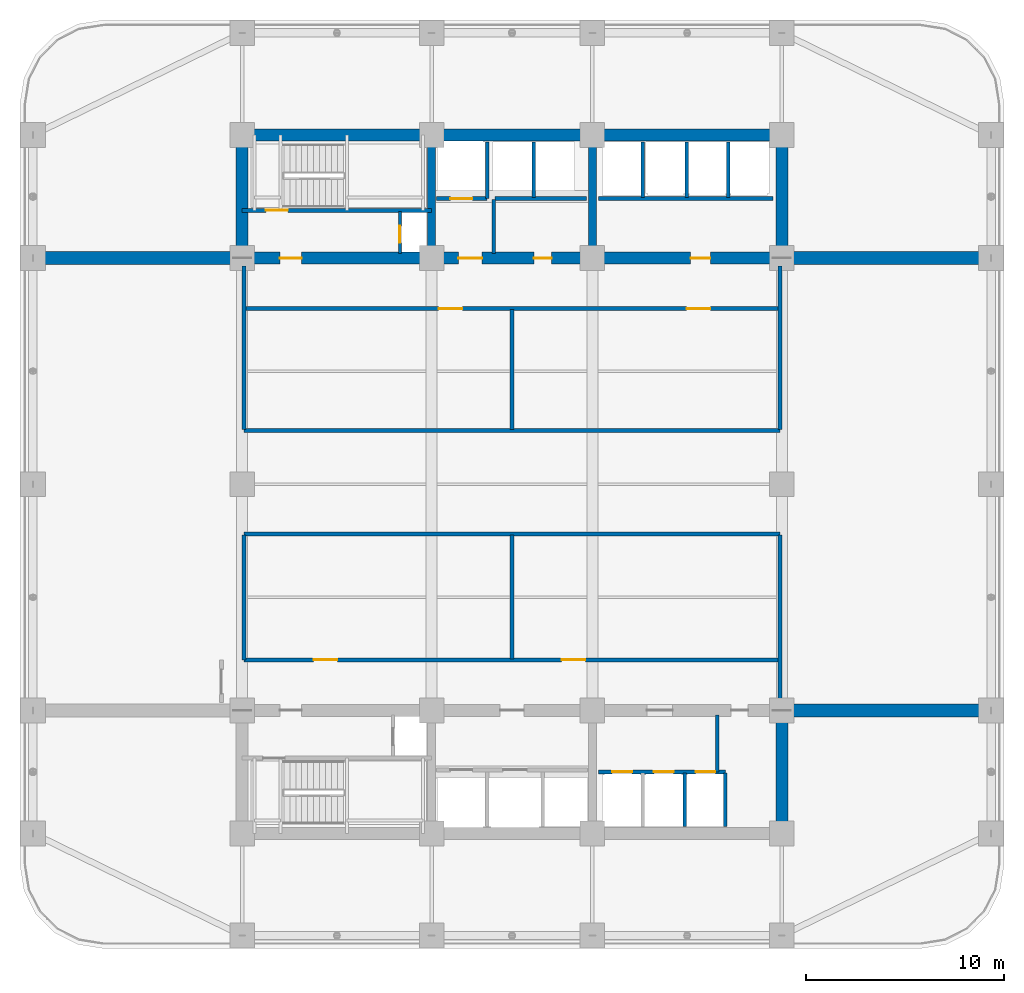
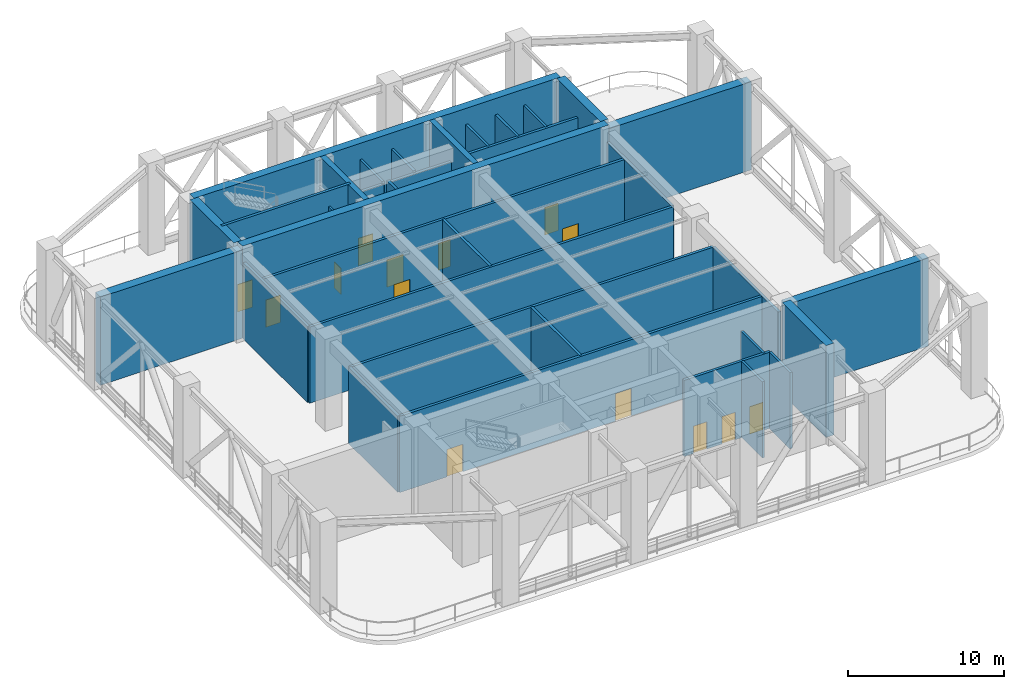
# One storey, part 11 of 20: 35 walls, 14 doors, 14 openings.
"""IFC4 building model written with IfcOpenShell, lengths in metres."""

from ifc_helpers import new_model, si_unit, direction, frame, frame_2d, origin, place, context, subcontext, project, spatial, rectangle, extrude, material, layer, layer_set, type_object, element, fill, save


model = new_model("IFC4")

# Units and contexts
model_context = context("Model", 3, precision=1e-05, world=origin(), true_north=direction((0.0, 1.0)))
body_context = subcontext(model_context, "Body", "Model", "MODEL_VIEW")
ifc_project = project(units=[si_unit("LENGTHUNIT", "METRE"), si_unit("AREAUNIT", "SQUARE_METRE"), si_unit("VOLUMEUNIT", "CUBIC_METRE"), si_unit("PLANEANGLEUNIT", "RADIAN"), si_unit("MASSUNIT", "GRAM", prefix="KILO")], contexts=[model_context])

# Site, building, storey
site_placement = place(None, origin())
site = spatial("IfcSite", under=ifc_project, at=site_placement, CompositionType="ELEMENT")
building_placement = place(site_placement, origin())
building = spatial("IfcBuilding", under=site, at=building_placement, Name="Svetorya Sky Lyceum", CompositionType="ELEMENT")
storey_placement = place(building_placement, frame((0.0, 0.0, 76.89990234375)))
storey = spatial("IfcBuildingStorey", under=building, at=storey_placement, Name="L19", CompositionType="ELEMENT", Elevation=76.89990234375)

# Walls
ifc_material_1 = material(Name="Concrete C40/50", Category="concrete")
ifc_layer_1 = layer(ifc_material_1, 0.39990234375)
ifc_layer_set_1 = layer_set([ifc_layer_1], Name="Concrete C40/50")
wall_type_1 = type_object("IfcWallType", Name="WL-CORE-400", PredefinedType="SHEAR", material=ifc_layer_set_1)
for number, where, z_axis, x_axis, name in (
    (1, (35.14990234375, 39.89990234375, 0.0), (0.0, 0.0, 1.0), (0.0, 1.0, 0.0), "L19 NC Internal Shear Web WEB1"),
    (2, (43.25, 39.89990234375, 0.0), (0.0, 0.0, 1.0), (0.0, 1.0, 0.0), "L19 NC Internal Shear Web WEB2"),
):
    element("IfcWall", number, at=place(storey_placement, frame(where, z_axis=z_axis, x_axis=x_axis)), inside=storey, type_object=wall_type_1, Name=name, PredefinedType="SHEAR", context=body_context, shape_type="SweptSolid", body=[
        extrude(rectangle(XDim=5.60009765625, YDim=0.39990234375, at=frame_2d((2.800048828125, 0.0))), origin(), (0.0, 0.0, 1.0), 7.2001953125),
    ])
ifc_material_2 = material(Name="Concrete C60/75", Category="concrete")
ifc_layer_2 = layer(ifc_material_2, 0.60009765625)
ifc_layer_set_2 = layer_set([ifc_layer_2], Name="Concrete C60/75")
wall_type_2 = type_object("IfcWallType", Name="WL-CORE-600", PredefinedType="SHEAR", material=ifc_layer_set_2)
wall_1_placement = place(storey_placement, frame((52.800048828125, 10.89990234375, 0.0), z_axis=(0.0, 0.0, 1.0), x_axis=(0.0, 1.0, 0.0)))
element("IfcWall", 3, at=wall_1_placement, inside=storey, type_object=wall_type_2, Name="L19 SC East Core Shear Wall", PredefinedType="SHEAR", context=body_context, shape_type="SweptSolid", body=[
    extrude(rectangle(XDim=5.60009765625, YDim=0.60009765625, at=frame_2d((2.800048828125, 0.0))), origin(), (0.0, 0.0, 1.0), 7.2001953125),
])
wall_2_placement = place(storey_placement, frame((25.60009765625, 45.800048828125, 0.0), z_axis=(0.0, 0.0, 1.0), x_axis=(1.0, 0.0, 0.0)))
element("IfcWall", 4, at=wall_2_placement, inside=storey, type_object=wall_type_2, Name="L19 NC Outer Core Shear Wall", PredefinedType="SHEAR", context=body_context, shape_type="SweptSolid", body=[
    extrude(rectangle(XDim=27.199951171875, YDim=0.60009765625, at=frame_2d((13.60009765625, 0.0))), origin(), (0.0, 0.0, 1.0), 7.2001953125),
])
for number, where, z_axis, x_axis, name in (
    (5, (25.60009765625, 39.89990234375, 0.0), (0.0, 0.0, 1.0), (0.0, 1.0, 0.0), "L19 NC West Core Shear Wall"),
    (6, (52.800048828125, 39.89990234375, 0.0), (0.0, 0.0, 1.0), (0.0, 1.0, 0.0), "L19 NC East Core Shear Wall"),
):
    element("IfcWall", number, at=place(storey_placement, frame(where, z_axis=z_axis, x_axis=x_axis)), inside=storey, type_object=wall_type_2, Name=name, PredefinedType="SHEAR", context=body_context, shape_type="SweptSolid", body=[
        extrude(rectangle(XDim=5.60009765625, YDim=0.60009765625, at=frame_2d((2.800048828125, 0.0))), origin(), (0.0, 0.0, 1.0), 7.2001953125),
    ])

# Wall, openings, doors
wall_3_placement = place(storey_placement, frame((52.800048828125, 39.60009765625, 0.0), z_axis=(0.0, 0.0, 1.0), x_axis=(-1.0, 0.0, 0.0)))
wall_3 = element("IfcWall", 7, at=wall_3_placement, inside=storey, type_object=wall_type_2, Name="L19 NC Inner Core Shear Wall", PredefinedType="SHEAR", context=body_context, shape_type="SweptSolid", body=[
    extrude(rectangle(XDim=27.199951171875, YDim=0.60009765625, at=frame_2d((13.60009765625, 0.0))), origin(), (0.0, 0.0, 1.0), 7.2001953125),
])
opening_1_placement = place(wall_3_placement, frame((24.199951171875, 0.0, 0.0)))
opening_1 = element("IfcOpeningElement", 8, at=opening_1_placement, cuts=wall_3, Name="Opening D-ST1", PredefinedType="OPENING", context=body_context, shape_type="SweptSolid", body=[
    extrude(rectangle(XDim=1.10009765625, YDim=2.14990234375, at=frame_2d((0.550048828125, 1.074951171875))), frame((0.0, 0.31005859375, 0.0), z_axis=(0.0, -1.0, 0.0), x_axis=(1.0, 0.0, 0.0)), (0.0, 0.0, 1.0), 0.6201171875),
])
opening_2_placement = place(wall_3_placement, frame((15.10009765625, 0.0, 0.0)))
opening_2 = element("IfcOpeningElement", 9, at=opening_2_placement, cuts=wall_3, Name="Opening D-FL1", PredefinedType="OPENING", context=body_context, shape_type="SweptSolid", body=[
    extrude(rectangle(XDim=1.199951171875, YDim=2.14990234375, at=frame_2d((0.60009765625, 1.074951171875))), frame((0.0, 0.31005859375, 0.0), z_axis=(0.0, -1.0, 0.0), x_axis=(1.0, 0.0, 0.0)), (0.0, 0.0, 1.0), 0.6201171875),
])
opening_3_placement = place(wall_3_placement, frame((11.60009765625, 0.0, 0.0)))
opening_3 = element("IfcOpeningElement", 10, at=opening_3_placement, cuts=wall_3, Name="Opening D-RM1", PredefinedType="OPENING", context=body_context, shape_type="SweptSolid", body=[
    extrude(rectangle(XDim=0.89990234375, YDim=2.10009765625, at=frame_2d((0.449951171875, 1.050048828125))), frame((0.0, 0.31005859375, 0.0), z_axis=(0.0, -1.0, 0.0), x_axis=(1.0, 0.0, 0.0)), (0.0, 0.0, 1.0), 0.6201171875),
])
opening_4_placement = place(wall_3_placement, frame((3.60009765625, 0.0, 0.0)))
opening_4 = element("IfcOpeningElement", 11, at=opening_4_placement, cuts=wall_3, Name="Opening D-RM2", PredefinedType="OPENING", context=body_context, shape_type="SweptSolid", body=[
    extrude(rectangle(XDim=1.0, YDim=2.14990234375, at=frame_2d((0.5, 1.074951171875))), frame((0.0, 0.31005859375, 0.0), z_axis=(0.0, -1.0, 0.0), x_axis=(1.0, 0.0, 0.0)), (0.0, 0.0, 1.0), 0.6201171875),
])
ifc_material_3 = material(Name="Powder-coated insulated galvanized stair fire door")
door_type_1 = type_object("IfcDoorType", Name="DR-FIRE-1100", OperationType="SINGLE_SWING_LEFT", PredefinedType="DOOR", material=ifc_material_3)
door_1_placement = place(opening_1_placement, origin())
door_1 = element("IfcDoor", 12, at=door_1_placement, inside=storey, type_object=door_type_1, Name="L19 North Stair Airlock Door", OperationType="SINGLE_SWING_LEFT", OverallHeight=2.14990234375, OverallWidth=1.10009765625, PredefinedType="DOOR", context=body_context, shape_type="SweptSolid", body=[
    extrude(rectangle(XDim=1.10009765625, YDim=2.14990234375, at=frame_2d((0.550048828125, 1.074951171875))), frame((0.0, 0.02490234375, 0.0), z_axis=(0.0, -1.0, 0.0), x_axis=(1.0, 0.0, 0.0)), (0.0, 0.0, 1.0), 0.050048828125),
])
fill(opening_1, door_1)
ifc_material_4 = material(Name="Powder-coated insulated galvanized fire door")
door_type_2 = type_object("IfcDoorType", Name="DR-FIRE-1200", OperationType="SINGLE_SWING_LEFT", PredefinedType="DOOR", material=ifc_material_4)
door_2_placement = place(opening_2_placement, origin())
door_2 = element("IfcDoor", 13, at=door_2_placement, inside=storey, type_object=door_type_2, Name="L19 North Firefighting Lift Lobby Door", OperationType="SINGLE_SWING_RIGHT", OverallHeight=2.14990234375, OverallWidth=1.199951171875, PredefinedType="DOOR", context=body_context, shape_type="SweptSolid", body=[
    extrude(rectangle(XDim=1.199951171875, YDim=2.14990234375, at=frame_2d((0.60009765625, 1.074951171875))), frame((0.0, 0.02490234375, 0.0), z_axis=(0.0, -1.0, 0.0), x_axis=(1.0, 0.0, 0.0)), (0.0, 0.0, 1.0), 0.050048828125),
])
fill(opening_2, door_2)
ifc_material_5 = material(Name="Solid-core oak acoustic room door")
door_type_3 = type_object("IfcDoorType", Name="DR-INT-1000", OperationType="SINGLE_SWING_LEFT", PredefinedType="DOOR", material=ifc_material_5)
door_3_placement = place(opening_4_placement, origin())
door_3 = element("IfcDoor", 14, at=door_3_placement, inside=storey, type_object=door_type_3, Name="L19 North Trunk Store Door", OperationType="SINGLE_SWING_LEFT", OverallHeight=2.14990234375, OverallWidth=1.0, PredefinedType="DOOR", context=body_context, shape_type="SweptSolid", body=[
    extrude(rectangle(XDim=1.0, YDim=2.14990234375, at=frame_2d((0.5, 1.074951171875))), frame((0.0, 0.02490234375, 0.0), z_axis=(0.0, -1.0, 0.0), x_axis=(1.0, 0.0, 0.0)), (0.0, 0.0, 1.0), 0.050048828125),
])
fill(opening_4, door_3)
ifc_material_6 = material(Name="Lacquered birch veneer internal door")
door_type_4 = type_object("IfcDoorType", Name="DR-INT-900", OperationType="SINGLE_SWING_LEFT", PredefinedType="DOOR", material=ifc_material_6)
door_4_placement = place(opening_3_placement, origin())
door_4 = element("IfcDoor", 15, at=door_4_placement, inside=storey, type_object=door_type_4, Name="L19 North Equipment Store Door", OperationType="SINGLE_SWING_LEFT", OverallHeight=2.10009765625, OverallWidth=0.89990234375, PredefinedType="DOOR", context=body_context, shape_type="SweptSolid", body=[
    extrude(rectangle(XDim=0.89990234375, YDim=2.10009765625, at=frame_2d((0.449951171875, 1.050048828125))), frame((0.0, 0.02490234375, 0.0), z_axis=(0.0, -1.0, 0.0), x_axis=(1.0, 0.0, 0.0)), (0.0, 0.0, 1.0), 0.050048828125),
])
fill(opening_3, door_4)

# Walls
ifc_layer_3 = layer(ifc_material_2, 0.64990234375)
ifc_layer_set_3 = layer_set([ifc_layer_3], Name="Concrete C60/75")
wall_type_3 = type_object("IfcWallType", Name="WL-OUTRIGGER-650", PredefinedType="SHEAR", material=ifc_layer_set_3)
for number, where, z_axis, x_axis, name in (
    (16, (52.800048828125, 16.800048828125, 0.0), (0.0, 0.0, 1.0), (1.0, 0.0, 0.0), "L19 Concrete Outrigger Wall SE"),
    (17, (15.050048828125, 39.60009765625, 0.0), (0.0, 0.0, 1.0), (1.0, 0.0, 0.0), "L19 Concrete Outrigger Wall NW"),
    (18, (52.800048828125, 39.60009765625, 0.0), (0.0, 0.0, 1.0), (1.0, 0.0, 0.0), "L19 Concrete Outrigger Wall NE"),
):
    element("IfcWall", number, at=place(storey_placement, frame(where, z_axis=z_axis, x_axis=x_axis)), inside=storey, type_object=wall_type_3, Name=name, PredefinedType="SHEAR", context=body_context, shape_type="SweptSolid", body=[
        extrude(rectangle(XDim=10.550048828125, YDim=0.64990234375, at=frame_2d((5.27490234375, 0.0))), origin(), (0.0, 0.0, 1.0), 6.920166015625),
    ])

# Wall, opening, door
ifc_material_7 = material(Name="Autoclaved cellular masonry blockwork with acoustic render", Category="masonry")
ifc_layer_4 = layer(ifc_material_7, 0.14990234375)
ifc_layer_set_4 = layer_set([ifc_layer_4], Name="Autoclaved cellular masonry blockwork with acoustic render")
wall_type_4 = type_object("IfcWallType", Name="WL-PART-150", PredefinedType="PARTITIONING", material=ifc_layer_set_4)
wall_4_placement = place(storey_placement, frame((33.550048828125, 39.820068359375, 0.0), z_axis=(0.0, 0.0, 1.0), x_axis=(0.0, 1.0, 0.0)))
wall_4 = element("IfcWall", 19, at=wall_4_placement, inside=storey, type_object=wall_type_4, Name="L19 Interior Partition NC-RSRW", PredefinedType="PARTITIONING", context=body_context, shape_type="SweptSolid", body=[
    extrude(rectangle(XDim=2.1298828125, YDim=0.14990234375, at=frame_2d((1.06494140625, 0.0))), origin(), (0.0, 0.0, 1.0), 5.97998046875),
])
opening_5_placement = place(wall_4_placement, frame((0.550048828125, 0.0, 0.0)))
opening_5 = element("IfcOpeningElement", 20, at=opening_5_placement, cuts=wall_4, Name="Opening D-SH1", PredefinedType="OPENING", context=body_context, shape_type="SweptSolid", body=[
    extrude(rectangle(XDim=0.85009765625, YDim=2.050048828125, at=frame_2d((0.425048828125, 1.02490234375))), frame((0.0, 0.0849609375, 0.0), z_axis=(0.0, -1.0, 0.0), x_axis=(1.0, 0.0, 0.0)), (0.0, 0.0, 1.0), 0.169921875),
])
ifc_material_8 = material(Name="Insulated galvanized riser inspection fire door")
door_type_5 = type_object("IfcDoorType", Name="DR-SHFT-850", OperationType="SINGLE_SWING_LEFT", PredefinedType="TRAPDOOR", material=ifc_material_8)
door_5_placement = place(opening_5_placement, origin())
door_5 = element("IfcDoor", 21, at=door_5_placement, inside=storey, type_object=door_type_5, Name="L19 North Riser Access Door", OperationType="SINGLE_SWING_LEFT", OverallHeight=2.050048828125, OverallWidth=0.85009765625, PredefinedType="TRAPDOOR", context=body_context, shape_type="SweptSolid", body=[
    extrude(rectangle(XDim=0.85009765625, YDim=2.050048828125, at=frame_2d((0.425048828125, 1.02490234375))), frame((0.0, 0.02490234375, 0.0), z_axis=(0.0, -1.0, 0.0), x_axis=(1.0, 0.0, 0.0)), (0.0, 0.0, 1.0), 0.050048828125),
])
fill(opening_5, door_5)

# Walls
ifc_material_9 = material(Name="Autoclaved cellular masonry blockwork with fire render", Category="masonry")
ifc_layer_5 = layer(ifc_material_9, 0.175048828125)
ifc_layer_set_5 = layer_set([ifc_layer_5], Name="Autoclaved cellular masonry blockwork with fire render")
wall_type_5 = type_object("IfcWallType", Name="WL-PART-175", PredefinedType="PARTITIONING", material=ifc_layer_set_5)
for number, where, z_axis, x_axis, name in (
    (22, (47.89990234375, 10.949951171875, 0.0), (0.0, 0.0, 1.0), (0.0, 1.0, 0.0), "L19 Interior Partition SC-PL-DIV2"),
    (23, (49.949951171875, 10.949951171875, 0.0), (0.0, 0.0, 1.0), (0.0, 1.0, 0.0), "L19 Interior Partition SC-PL-END"),
):
    element("IfcWall", number, at=place(storey_placement, frame(where, z_axis=z_axis, x_axis=x_axis)), inside=storey, type_object=wall_type_5, Name=name, PredefinedType="PARTITIONING", context=body_context, shape_type="SweptSolid", body=[
        extrude(rectangle(XDim=2.699951171875, YDim=0.175048828125, at=frame_2d((1.35009765625, 0.0))), origin(), (0.0, 0.0, 1.0), 5.97998046875),
    ])
wall_5_placement = place(storey_placement, frame((49.550048828125, 13.699951171875, 0.0), z_axis=(0.0, 0.0, 1.0), x_axis=(0.0, 1.0, 0.0)))
element("IfcWall", 24, at=wall_5_placement, inside=storey, type_object=wall_type_5, Name="L19 Interior Partition SC-AUX-V", PredefinedType="PARTITIONING", context=body_context, shape_type="SweptSolid", body=[
    extrude(rectangle(XDim=2.880126953125, YDim=0.175048828125, at=frame_2d((1.43994140625, 0.0))), origin(), (0.0, 0.0, 1.0), 5.97998046875),
])
wall_6_placement = place(storey_placement, frame((37.949951171875, 42.60009765625, 0.0), z_axis=(0.0, 0.0, 1.0), x_axis=(0.0, 1.0, 0.0)))
element("IfcWall", 25, at=wall_6_placement, inside=storey, type_object=wall_type_5, Name="L19 Interior Partition NC-FL1SIDE", PredefinedType="PARTITIONING", context=body_context, shape_type="SweptSolid", body=[
    extrude(rectangle(XDim=2.849853515625, YDim=0.175048828125, at=frame_2d((1.4248046875, 0.0))), origin(), (0.0, 0.0, 1.0), 5.97998046875),
])
for number, where, z_axis, x_axis, name in (
    (26, (40.300048828125, 42.64990234375, 0.0), (0.0, 0.0, 1.0), (0.0, 1.0, 0.0), "L19 Interior Partition NC-PM-D1"),
    (27, (45.800048828125, 42.64990234375, 0.0), (0.0, 0.0, 1.0), (0.0, 1.0, 0.0), "L19 Interior Partition NC-PM3-D"),
    (28, (48.0, 42.64990234375, 0.0), (0.0, 0.0, 1.0), (0.0, 1.0, 0.0), "L19 Interior Partition NC-PH-D1"),
    (29, (50.10009765625, 42.64990234375, 0.0), (0.0, 0.0, 1.0), (0.0, 1.0, 0.0), "L19 Interior Partition NC-PH-D2"),
):
    element("IfcWall", number, at=place(storey_placement, frame(where, z_axis=z_axis, x_axis=x_axis)), inside=storey, type_object=wall_type_5, Name=name, PredefinedType="PARTITIONING", context=body_context, shape_type="SweptSolid", body=[
        extrude(rectangle(XDim=2.800048828125, YDim=0.175048828125, at=frame_2d((1.39990234375, 0.0))), origin(), (0.0, 0.0, 1.0), 5.97998046875),
    ])

# Wall, openings, doors
ifc_material_10 = material(Name="Autoclaved cellular masonry blockwork with gypsum plaster", Category="masonry")
ifc_layer_6 = layer(ifc_material_10, 0.199951171875)
ifc_layer_set_6 = layer_set([ifc_layer_6], Name="Autoclaved cellular masonry blockwork with gypsum plaster")
wall_type_6 = type_object("IfcWallType", Name="WL-PART-200", PredefinedType="PARTITIONING", material=ifc_layer_set_6)
wall_7_placement = place(storey_placement, frame((43.550048828125, 13.699951171875, 0.0), z_axis=(0.0, 0.0, 1.0), x_axis=(1.0, 0.0, 0.0)))
wall_7 = element("IfcWall", 30, at=wall_7_placement, inside=storey, type_object=wall_type_6, Name="L19 Interior Partition SC-PLW", PredefinedType="PARTITIONING", context=body_context, shape_type="SweptSolid", body=[
    extrude(rectangle(XDim=6.39990234375, YDim=0.199951171875, at=frame_2d((3.199951171875, 0.0))), origin(), (0.0, 0.0, 1.0), 5.97998046875),
])
opening_6_placement = place(wall_7_placement, frame((0.699951171875, 0.0, 0.0)))
opening_6 = element("IfcOpeningElement", 31, at=opening_6_placement, cuts=wall_7, Name="Opening LD-P1", PredefinedType="OPENING", context=body_context, shape_type="SweptSolid", body=[
    extrude(rectangle(XDim=1.0, YDim=2.14990234375, at=frame_2d((0.5, 1.074951171875))), frame((0.0, 0.10986328125, 0.0), z_axis=(0.0, -1.0, 0.0), x_axis=(1.0, 0.0, 0.0)), (0.0, 0.0, 1.0), 0.219970703125),
])
opening_7_placement = place(wall_7_placement, frame((2.800048828125, 0.0, 0.0)))
opening_7 = element("IfcOpeningElement", 32, at=opening_7_placement, cuts=wall_7, Name="Opening LD-P1", PredefinedType="OPENING", context=body_context, shape_type="SweptSolid", body=[
    extrude(rectangle(XDim=1.0, YDim=2.14990234375, at=frame_2d((0.5, 1.074951171875))), frame((0.0, 0.10986328125, 0.0), z_axis=(0.0, -1.0, 0.0), x_axis=(1.0, 0.0, 0.0)), (0.0, 0.0, 1.0), 0.219970703125),
])
opening_8_placement = place(wall_7_placement, frame((4.89990234375, 0.0, 0.0)))
opening_8 = element("IfcOpeningElement", 33, at=opening_8_placement, cuts=wall_7, Name="Opening LD-P1", PredefinedType="OPENING", context=body_context, shape_type="SweptSolid", body=[
    extrude(rectangle(XDim=1.0, YDim=2.14990234375, at=frame_2d((0.5, 1.074951171875))), frame((0.0, 0.10986328125, 0.0), z_axis=(0.0, -1.0, 0.0), x_axis=(1.0, 0.0, 0.0)), (0.0, 0.0, 1.0), 0.219970703125),
])
ifc_material_11 = material(Name="Champagne-anodized stainless passenger lift landing door")
door_type_6 = type_object("IfcDoorType", Name="DR-LIFT-1000", OperationType="SLIDING_TO_LEFT", PredefinedType="DOOR", material=ifc_material_11)
door_6_placement = place(opening_6_placement, origin())
door_6 = element("IfcDoor", 34, at=door_6_placement, inside=storey, type_object=door_type_6, Name="L19 Passenger Lift PL1 Landing Door", OperationType="SLIDING_TO_LEFT", OverallHeight=2.14990234375, OverallWidth=1.0, PredefinedType="DOOR", context=body_context, shape_type="SweptSolid", body=[
    extrude(rectangle(XDim=1.0, YDim=2.14990234375, at=frame_2d((0.5, 1.074951171875))), frame((0.0, 0.02490234375, 0.0), z_axis=(0.0, -1.0, 0.0), x_axis=(1.0, 0.0, 0.0)), (0.0, 0.0, 1.0), 0.050048828125),
])
fill(opening_6, door_6)
door_7_placement = place(opening_7_placement, origin())
door_7 = element("IfcDoor", 35, at=door_7_placement, inside=storey, type_object=door_type_6, Name="L19 Passenger Lift PL2 Landing Door", OperationType="SLIDING_TO_LEFT", OverallHeight=2.14990234375, OverallWidth=1.0, PredefinedType="DOOR", context=body_context, shape_type="SweptSolid", body=[
    extrude(rectangle(XDim=1.0, YDim=2.14990234375, at=frame_2d((0.5, 1.074951171875))), frame((0.0, 0.02490234375, 0.0), z_axis=(0.0, -1.0, 0.0), x_axis=(1.0, 0.0, 0.0)), (0.0, 0.0, 1.0), 0.050048828125),
])
fill(opening_7, door_7)
door_8_placement = place(opening_8_placement, origin())
door_8 = element("IfcDoor", 36, at=door_8_placement, inside=storey, type_object=door_type_6, Name="L19 Passenger Lift PL3 Landing Door", OperationType="SLIDING_TO_LEFT", OverallHeight=2.14990234375, OverallWidth=1.0, PredefinedType="DOOR", context=body_context, shape_type="SweptSolid", body=[
    extrude(rectangle(XDim=1.0, YDim=2.14990234375, at=frame_2d((0.5, 1.074951171875))), frame((0.0, 0.02490234375, 0.0), z_axis=(0.0, -1.0, 0.0), x_axis=(1.0, 0.0, 0.0)), (0.0, 0.0, 1.0), 0.050048828125),
])
fill(opening_8, door_8)

# Wall, opening, door
wall_8_placement = place(storey_placement, frame((37.949951171875, 42.60009765625, 0.0), z_axis=(0.0, 0.0, 1.0), x_axis=(-1.0, 0.0, 0.0)))
wall_8 = element("IfcWall", 37, at=wall_8_placement, inside=storey, type_object=wall_type_6, Name="L19 Interior Partition NC-FL1W", PredefinedType="PARTITIONING", context=body_context, shape_type="SweptSolid", body=[
    extrude(rectangle(XDim=2.550048828125, YDim=0.199951171875, at=frame_2d((1.27490234375, 0.0))), origin(), (0.0, 0.0, 1.0), 5.800048828125),
])
opening_9_placement = place(wall_8_placement, frame((0.75, 0.0, 0.0)))
opening_9 = element("IfcOpeningElement", 38, at=opening_9_placement, cuts=wall_8, Name="Opening LD-FL", PredefinedType="OPENING", context=body_context, shape_type="SweptSolid", body=[
    extrude(rectangle(XDim=1.10009765625, YDim=2.14990234375, at=frame_2d((0.550048828125, 1.074951171875))), frame((0.0, 0.10986328125, 0.0), z_axis=(0.0, -1.0, 0.0), x_axis=(1.0, 0.0, 0.0)), (0.0, 0.0, 1.0), 0.219970703125),
])
ifc_material_12 = material(Name="Fire-rated stainless AISI 304 firefighting lift landing door")
door_type_7 = type_object("IfcDoorType", Name="DR-LIFT-1100", OperationType="SLIDING_TO_LEFT", PredefinedType="DOOR", material=ifc_material_12)
door_9_placement = place(opening_9_placement, origin())
door_9 = element("IfcDoor", 39, at=door_9_placement, inside=storey, type_object=door_type_7, Name="L19 Firefighting Lift FL1 Landing Door", OperationType="SLIDING_TO_LEFT", OverallHeight=2.14990234375, OverallWidth=1.10009765625, PredefinedType="DOOR", context=body_context, shape_type="SweptSolid", body=[
    extrude(rectangle(XDim=1.10009765625, YDim=2.14990234375, at=frame_2d((0.550048828125, 1.074951171875))), frame((0.0, 0.02490234375, 0.0), z_axis=(0.0, -1.0, 0.0), x_axis=(1.0, 0.0, 0.0)), (0.0, 0.0, 1.0), 0.050048828125),
])
fill(opening_9, door_9)

# Walls
wall_9_placement = place(storey_placement, frame((38.280029296875, 39.820068359375, 0.0), z_axis=(0.0, 0.0, 1.0), x_axis=(0.0, 1.0, 0.0)))
element("IfcWall", 40, at=wall_9_placement, inside=storey, type_object=wall_type_6, Name="L19 Interior Partition NC-FFLDIV", PredefinedType="PARTITIONING", context=body_context, shape_type="SweptSolid", body=[
    extrude(rectangle(XDim=2.72998046875, YDim=0.199951171875, at=frame_2d((1.364990234375, 0.0))), origin(), (0.0, 0.0, 1.0), 5.97998046875),
])
wall_10_placement = place(storey_placement, frame((42.949951171875, 42.60009765625, 0.0), z_axis=(0.0, 0.0, 1.0), x_axis=(-1.0, 0.0, 0.0)))
element("IfcWall", 41, at=wall_10_placement, inside=storey, type_object=wall_type_6, Name="L19 Interior Partition NC-PM12W", PredefinedType="PARTITIONING", context=body_context, shape_type="SweptSolid", body=[
    extrude(rectangle(XDim=4.599853515625, YDim=0.199951171875, at=frame_2d((2.2998046875, 0.0))), origin(), (0.0, 0.0, 1.0), 5.800048828125),
])
wall_11_placement = place(storey_placement, frame((52.35009765625, 42.60009765625, 0.0), z_axis=(0.0, 0.0, 1.0), x_axis=(-1.0, 0.0, 0.0)))
element("IfcWall", 42, at=wall_11_placement, inside=storey, type_object=wall_type_6, Name="L19 Interior Partition NC-PHEW", PredefinedType="PARTITIONING", context=body_context, shape_type="SweptSolid", body=[
    extrude(rectangle(XDim=8.800048828125, YDim=0.199951171875, at=frame_2d((4.39990234375, 0.0))), origin(), (0.0, 0.0, 1.0), 5.97998046875),
])

# Wall, openings, doors
wall_12_placement = place(storey_placement, frame((25.699951171875, 19.35009765625, 0.0), z_axis=(0.0, 0.0, 1.0), x_axis=(1.0, 0.0, 0.0)))
wall_12 = element("IfcWall", 43, at=wall_12_placement, inside=storey, type_object=wall_type_6, Name="L19 Interior Partition REF-S-IN", PredefinedType="PARTITIONING", context=body_context, shape_type="SweptSolid", body=[
    extrude(rectangle(XDim=27.0, YDim=0.199951171875, at=frame_2d((13.5, 0.0))), origin(), (0.0, 0.0, 1.0), 5.97998046875),
])
opening_10_placement = place(wall_12_placement, frame((3.5, 0.0, 0.0)))
opening_10 = element("IfcOpeningElement", 44, at=opening_10_placement, cuts=wall_12, Name="Opening D-FL1", PredefinedType="OPENING", context=body_context, shape_type="SweptSolid", body=[
    extrude(rectangle(XDim=1.199951171875, YDim=2.14990234375, at=frame_2d((0.60009765625, 1.074951171875))), frame((0.0, 0.10986328125, 0.0), z_axis=(0.0, -1.0, 0.0), x_axis=(1.0, 0.0, 0.0)), (0.0, 0.0, 1.0), 0.219970703125),
])
opening_11_placement = place(wall_12_placement, frame((16.0, 0.0, 0.0)))
opening_11 = element("IfcOpeningElement", 45, at=opening_11_placement, cuts=wall_12, Name="Opening D-FL1", PredefinedType="OPENING", context=body_context, shape_type="SweptSolid", body=[
    extrude(rectangle(XDim=1.199951171875, YDim=2.14990234375, at=frame_2d((0.60009765625, 1.074951171875))), frame((0.0, 0.10986328125, 0.0), z_axis=(0.0, -1.0, 0.0), x_axis=(1.0, 0.0, 0.0)), (0.0, 0.0, 1.0), 0.219970703125),
])
door_10_placement = place(opening_10_placement, origin())
door_10 = element("IfcDoor", 46, at=door_10_placement, inside=storey, type_object=door_type_2, Name="L19 West Refuge Door", OperationType="SINGLE_SWING_LEFT", OverallHeight=2.14990234375, OverallWidth=1.199951171875, PredefinedType="DOOR", context=body_context, shape_type="SweptSolid", body=[
    extrude(rectangle(XDim=1.199951171875, YDim=2.14990234375, at=frame_2d((0.60009765625, 1.074951171875))), frame((0.0, 0.02490234375, 0.0), z_axis=(0.0, -1.0, 0.0), x_axis=(1.0, 0.0, 0.0)), (0.0, 0.0, 1.0), 0.050048828125),
])
fill(opening_10, door_10)
door_11_placement = place(opening_11_placement, origin())
door_11 = element("IfcDoor", 47, at=door_11_placement, inside=storey, type_object=door_type_2, Name="L19 East Refuge Door", OperationType="SINGLE_SWING_RIGHT", OverallHeight=2.14990234375, OverallWidth=1.199951171875, PredefinedType="DOOR", context=body_context, shape_type="SweptSolid", body=[
    extrude(rectangle(XDim=1.199951171875, YDim=2.14990234375, at=frame_2d((0.60009765625, 1.074951171875))), frame((0.0, 0.02490234375, 0.0), z_axis=(0.0, -1.0, 0.0), x_axis=(1.0, 0.0, 0.0)), (0.0, 0.0, 1.0), 0.050048828125),
])
fill(opening_11, door_11)

# Walls
wall_13_placement = place(storey_placement, frame((25.699951171875, 25.699951171875, 0.0), z_axis=(0.0, 0.0, 1.0), x_axis=(1.0, 0.0, 0.0)))
element("IfcWall", 48, at=wall_13_placement, inside=storey, type_object=wall_type_6, Name="L19 Interior Partition REF-S-OUT", PredefinedType="PARTITIONING", context=body_context, shape_type="SweptSolid", body=[
    extrude(rectangle(XDim=27.0, YDim=0.199951171875, at=frame_2d((13.5, 0.0))), origin(), (0.0, 0.0, 1.0), 5.97998046875),
])
wall_14_placement = place(storey_placement, frame((39.199951171875, 19.39990234375, 0.0), z_axis=(0.0, 0.0, 1.0), x_axis=(0.0, 1.0, 0.0)))
element("IfcWall", 49, at=wall_14_placement, inside=storey, type_object=wall_type_6, Name="L19 Interior Partition REF-S-MID", PredefinedType="PARTITIONING", context=body_context, shape_type="SweptSolid", body=[
    extrude(rectangle(XDim=6.25, YDim=0.199951171875, at=frame_2d((3.125, 0.0))), origin(), (0.0, 0.0, 1.0), 5.97998046875),
])
wall_15_placement = place(storey_placement, frame((25.699951171875, 19.35009765625, 0.0), z_axis=(0.0, 0.0, 1.0), x_axis=(0.0, 1.0, 0.0)))
element("IfcWall", 50, at=wall_15_placement, inside=storey, type_object=wall_type_6, Name="L19 Interior Partition REF-W-END2", PredefinedType="PARTITIONING", context=body_context, shape_type="SweptSolid", body=[
    extrude(rectangle(XDim=6.2998046875, YDim=0.199951171875, at=frame_2d((3.14990234375, 0.0))), origin(), (0.0, 0.0, 1.0), 5.97998046875),
])
wall_16_placement = place(storey_placement, frame((52.699951171875, 17.199951171875, 0.0), z_axis=(0.0, 0.0, 1.0), x_axis=(0.0, 1.0, 0.0)))
element("IfcWall", 51, at=wall_16_placement, inside=storey, type_object=wall_type_6, Name="L19 Interior Partition REF-E-END", PredefinedType="PARTITIONING", context=body_context, shape_type="SweptSolid", body=[
    extrude(rectangle(XDim=8.449951171875, YDim=0.199951171875, at=frame_2d((4.22509765625, 0.0))), origin(), (0.0, 0.0, 1.0), 5.97998046875),
])

# Wall, openings, doors
wall_17_placement = place(storey_placement, frame((52.699951171875, 37.050048828125, 0.0), z_axis=(0.0, 0.0, 1.0), x_axis=(-1.0, 0.0, 0.0)))
wall_17 = element("IfcWall", 52, at=wall_17_placement, inside=storey, type_object=wall_type_6, Name="L19 Interior Partition PLT-N-IN", PredefinedType="PARTITIONING", context=body_context, shape_type="SweptSolid", body=[
    extrude(rectangle(XDim=27.0, YDim=0.199951171875, at=frame_2d((13.5, 0.0))), origin(), (0.0, 0.0, 1.0), 5.97998046875),
])
opening_12_placement = place(wall_17_placement, frame((3.5, 0.0, 0.0)))
opening_12 = element("IfcOpeningElement", 53, at=opening_12_placement, cuts=wall_17, Name="Opening D-FL1", PredefinedType="OPENING", context=body_context, shape_type="SweptSolid", body=[
    extrude(rectangle(XDim=1.199951171875, YDim=2.14990234375, at=frame_2d((0.60009765625, 1.074951171875))), frame((0.0, 0.10986328125, 0.0), z_axis=(0.0, -1.0, 0.0), x_axis=(1.0, 0.0, 0.0)), (0.0, 0.0, 1.0), 0.219970703125),
])
opening_13_placement = place(wall_17_placement, frame((16.0, 0.0, 0.0)))
opening_13 = element("IfcOpeningElement", 54, at=opening_13_placement, cuts=wall_17, Name="Opening D-FL1", PredefinedType="OPENING", context=body_context, shape_type="SweptSolid", body=[
    extrude(rectangle(XDim=1.199951171875, YDim=2.14990234375, at=frame_2d((0.60009765625, 1.074951171875))), frame((0.0, 0.10986328125, 0.0), z_axis=(0.0, -1.0, 0.0), x_axis=(1.0, 0.0, 0.0)), (0.0, 0.0, 1.0), 0.219970703125),
])
door_12_placement = place(opening_12_placement, origin())
door_12 = element("IfcDoor", 55, at=door_12_placement, inside=storey, type_object=door_type_2, Name="L19 Smoke Plant Door", OperationType="SINGLE_SWING_LEFT", OverallHeight=2.14990234375, OverallWidth=1.199951171875, PredefinedType="DOOR", context=body_context, shape_type="SweptSolid", body=[
    extrude(rectangle(XDim=1.199951171875, YDim=2.14990234375, at=frame_2d((0.60009765625, 1.074951171875))), frame((0.0, 0.02490234375, 0.0), z_axis=(0.0, -1.0, 0.0), x_axis=(1.0, 0.0, 0.0)), (0.0, 0.0, 1.0), 0.050048828125),
])
fill(opening_12, door_12)
door_13_placement = place(opening_13_placement, origin())
door_13 = element("IfcDoor", 56, at=door_13_placement, inside=storey, type_object=door_type_2, Name="L19 Heat Exchanger Door", OperationType="SINGLE_SWING_RIGHT", OverallHeight=2.14990234375, OverallWidth=1.199951171875, PredefinedType="DOOR", context=body_context, shape_type="SweptSolid", body=[
    extrude(rectangle(XDim=1.199951171875, YDim=2.14990234375, at=frame_2d((0.60009765625, 1.074951171875))), frame((0.0, 0.02490234375, 0.0), z_axis=(0.0, -1.0, 0.0), x_axis=(1.0, 0.0, 0.0)), (0.0, 0.0, 1.0), 0.050048828125),
])
fill(opening_13, door_13)

# Walls
wall_18_placement = place(storey_placement, frame((25.699951171875, 30.89990234375, 0.0), z_axis=(0.0, 0.0, 1.0), x_axis=(1.0, 0.0, 0.0)))
element("IfcWall", 57, at=wall_18_placement, inside=storey, type_object=wall_type_6, Name="L19 Interior Partition PLT-N-OUT", PredefinedType="PARTITIONING", context=body_context, shape_type="SweptSolid", body=[
    extrude(rectangle(XDim=27.0, YDim=0.199951171875, at=frame_2d((13.5, 0.0))), origin(), (0.0, 0.0, 1.0), 5.97998046875),
])
wall_19_placement = place(storey_placement, frame((39.199951171875, 30.949951171875, 0.0), z_axis=(0.0, 0.0, 1.0), x_axis=(0.0, 1.0, 0.0)))
element("IfcWall", 58, at=wall_19_placement, inside=storey, type_object=wall_type_6, Name="L19 Interior Partition PLT-N-MID", PredefinedType="PARTITIONING", context=body_context, shape_type="SweptSolid", body=[
    extrude(rectangle(XDim=6.050048828125, YDim=0.199951171875, at=frame_2d((3.02490234375, 0.0))), origin(), (0.0, 0.0, 1.0), 5.97998046875),
])
for number, where, z_axis, x_axis, name in (
    (59, (25.699951171875, 30.949951171875, 0.0), (0.0, 0.0, 1.0), (0.0, 1.0, 0.0), "L19 Interior Partition PLT-NW-END"),
    (60, (52.699951171875, 30.949951171875, 0.0), (0.0, 0.0, 1.0), (0.0, 1.0, 0.0), "L19 Interior Partition PLT-NE-END"),
):
    element("IfcWall", number, at=place(storey_placement, frame(where, z_axis=z_axis, x_axis=x_axis)), inside=storey, type_object=wall_type_6, Name=name, PredefinedType="PARTITIONING", context=body_context, shape_type="SweptSolid", body=[
        extrude(rectangle(XDim=8.25, YDim=0.199951171875, at=frame_2d((4.125, 0.0))), origin(), (0.0, 0.0, 1.0), 5.97998046875),
    ])

# Wall, opening, door
ifc_material_13 = material(Name="Concrete C50/60", Category="concrete")
ifc_layer_7 = layer(ifc_material_13, 0.199951171875)
ifc_layer_set_7 = layer_set([ifc_layer_7], Name="Concrete C50/60")
wall_type_7 = type_object("IfcWallType", Name="WL-SHW-200", PredefinedType="SHEAR", material=ifc_layer_set_7)
wall_20_placement = place(storey_placement, frame((35.14990234375, 42.0, 0.0), z_axis=(0.0, 0.0, 1.0), x_axis=(-1.0, 0.0, 0.0)))
wall_20 = element("IfcWall", 61, at=wall_20_placement, inside=storey, type_object=wall_type_7, Name="L19 Structural Stair Shaft Wall NC-STW", PredefinedType="SHEAR", context=body_context, shape_type="SweptSolid", body=[
    extrude(rectangle(XDim=9.5498046875, YDim=0.199951171875, at=frame_2d((4.77490234375, 0.0))), origin(), (0.0, 0.0, 1.0), 7.2001953125),
])
opening_14_placement = place(wall_20_placement, frame((7.25, 0.0, 0.0)))
opening_14 = element("IfcOpeningElement", 62, at=opening_14_placement, cuts=wall_20, Name="Opening D-ST1", PredefinedType="OPENING", context=body_context, shape_type="SweptSolid", body=[
    extrude(rectangle(XDim=1.10009765625, YDim=2.14990234375, at=frame_2d((0.550048828125, 1.074951171875))), frame((0.0, 0.10986328125, 0.0), z_axis=(0.0, -1.0, 0.0), x_axis=(1.0, 0.0, 0.0)), (0.0, 0.0, 1.0), 0.219970703125),
])
door_14_placement = place(opening_14_placement, origin())
door_14 = element("IfcDoor", 63, at=door_14_placement, inside=storey, type_object=door_type_1, Name="L19 Stair ST-N Vestibule Fire Door", OperationType="SINGLE_SWING_RIGHT", OverallHeight=2.14990234375, OverallWidth=1.10009765625, PredefinedType="DOOR", context=body_context, shape_type="SweptSolid", body=[
    extrude(rectangle(XDim=1.10009765625, YDim=2.14990234375, at=frame_2d((0.550048828125, 1.074951171875))), frame((0.0, 0.02490234375, 0.0), z_axis=(0.0, -1.0, 0.0), x_axis=(1.0, 0.0, 0.0)), (0.0, 0.0, 1.0), 0.050048828125),
])
fill(opening_14, door_14)

save(model, "model.ifc")
